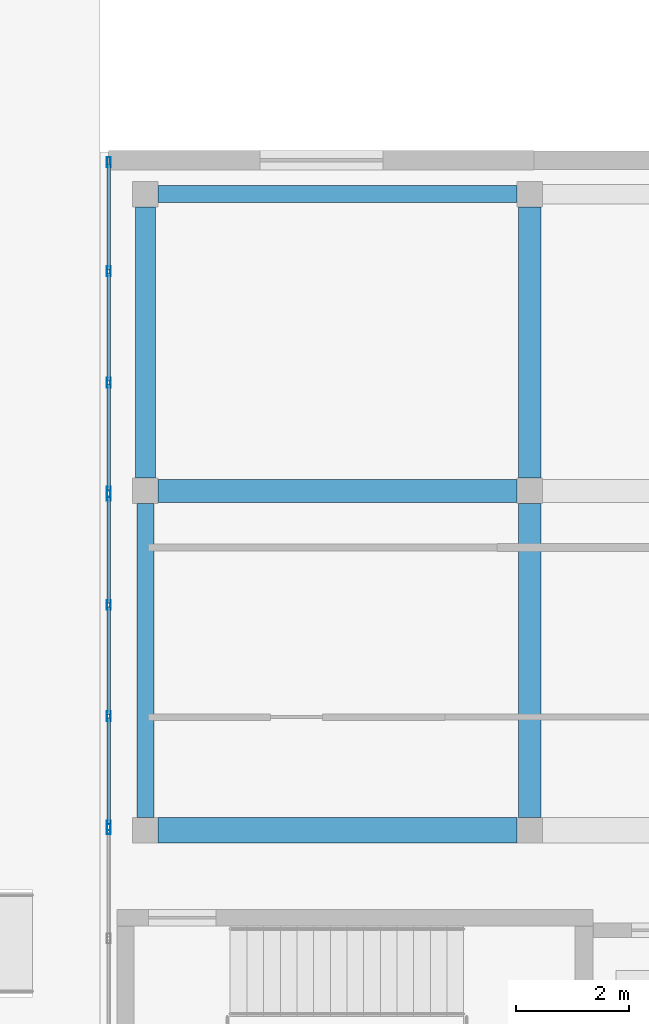
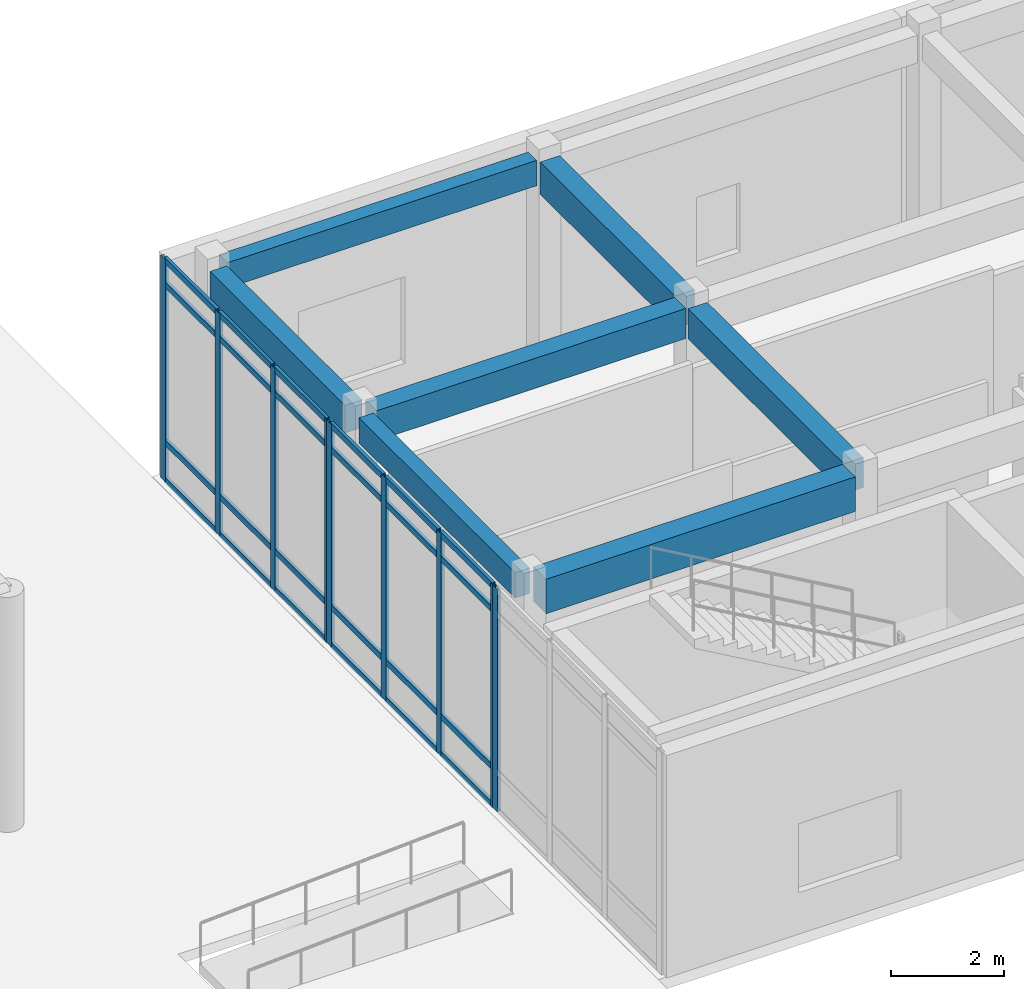
# One storey, part 75 of 121: 33 members, 7 beams, 3 elements without a shape of their own.
"""IFC4 building model written with IfcOpenShell, lengths in metres."""

from ifc_helpers import new_model, si_unit, direction, frame, origin, origin_2d, place, context, subcontext, project, spatial, rectangle, hollow_rectangle, extrude, material, layer, layer_set, material_profile, profile_set, type_object, element, aggregate, save


model = new_model("IFC4")

# Units and contexts
model_context = context("Model", 3, precision=1e-05, world=origin(), true_north=direction((0.0, 1.0)))
body_context = subcontext(model_context, "Body", "Model", "MODEL_VIEW")
ifc_project = project(units=[si_unit("LENGTHUNIT", "METRE"), si_unit("AREAUNIT", "SQUARE_METRE"), si_unit("VOLUMEUNIT", "CUBIC_METRE"), si_unit("PLANEANGLEUNIT", "RADIAN"), si_unit("MASSUNIT", "GRAM", prefix="KILO")], contexts=[model_context])

# Site, building, storey
site_placement = place(None, origin())
site = spatial("IfcSite", under=ifc_project, at=site_placement, CompositionType="ELEMENT")
building_placement = place(site_placement, origin())
building = spatial("IfcBuilding", under=site, at=building_placement, Name="Valcora Specialist Clinic", CompositionType="ELEMENT")
storey_placement = place(building_placement, origin())
storey = spatial("IfcBuildingStorey", under=building, at=storey_placement, Name="L00", CompositionType="ELEMENT", Elevation=0.0)

# Beams
ifc_material_1 = material(Name="Concrete C40/50", Category="concrete")
ifc_material_profile_1 = material_profile(ifc_material_1, rectangle(XDim=0.300048828125, YDim=0.550048828125, at=origin_2d()), Name="RC-BM-300X550")
ifc_profile_set_1 = profile_set([ifc_material_profile_1], Name="Concrete C40/50")
beam_type_1 = type_object("IfcBeamType", Name="TY-BM-RC300X550", PredefinedType="BEAM", material=ifc_profile_set_1)
beam_1_placement = place(storey_placement, frame((132.625, 55.25, 4.550048828125), z_axis=(1.0, 0.0, 0.0), x_axis=(0.0, 1.0, 0.0)))
element("IfcBeam", 1, at=beam_1_placement, inside=storey, type_object=beam_type_1, Name="Beam BM-L00-0409", PredefinedType="BEAM", context=body_context, shape_type="SweptSolid", body=[
    extrude(rectangle(XDim=0.300048828125, YDim=0.550048828125, at=origin_2d()), origin(), (0.0, 0.0, 1.0), 6.35009765625),
])
beam_2_placement = place(storey_placement, frame((132.39990234375, 44.22509765625, 4.550048828125), z_axis=(0.0, 1.0, 0.0), x_axis=(-1.0, 0.0, 0.0)))
element("IfcBeam", 2, at=beam_2_placement, inside=storey, type_object=beam_type_1, Name="Beam BM-L00-0413", PredefinedType="BEAM", context=body_context, shape_type="SweptSolid", body=[
    extrude(rectangle(XDim=0.300048828125, YDim=0.550048828125, at=origin_2d()), origin(), (0.0, 0.0, 1.0), 5.5498046875),
])
ifc_material_profile_2 = material_profile(ifc_material_1, rectangle(XDim=0.35009765625, YDim=0.60009765625, at=origin_2d()), Name="RC-BM-350X600")
ifc_profile_set_2 = profile_set([ifc_material_profile_2], Name="Concrete C40/50")
beam_type_2 = type_object("IfcBeamType", Name="TY-BM-RC350X600", PredefinedType="BEAM", material=ifc_profile_set_2)
beam_3_placement = place(storey_placement, frame((132.39990234375, 50.22509765625, 4.52490234375), z_axis=(0.0, 1.0, 0.0), x_axis=(-1.0, 0.0, 0.0)))
element("IfcBeam", 3, at=beam_3_placement, inside=storey, type_object=beam_type_2, Name="Beam BM-L00-0414", PredefinedType="BEAM", context=body_context, shape_type="SweptSolid", body=[
    extrude(rectangle(XDim=0.35009765625, YDim=0.60009765625, at=origin_2d()), origin(), (0.0, 0.0, 1.0), 4.7998046875),
])
ifc_material_profile_3 = material_profile(ifc_material_1, rectangle(XDim=0.39990234375, YDim=0.64990234375, at=origin_2d()), Name="RC-BM-400X650")
ifc_profile_set_3 = profile_set([ifc_material_profile_3], Name="Concrete C40/50")
beam_type_3 = type_object("IfcBeamType", Name="TY-BM-RC400X650", PredefinedType="BEAM", material=ifc_profile_set_3)
beam_4_placement = place(storey_placement, frame((132.625, 50.0, 4.5), z_axis=(1.0, 0.0, 0.0), x_axis=(0.0, 1.0, 0.0)))
element("IfcBeam", 4, at=beam_4_placement, inside=storey, type_object=beam_type_3, Name="Beam BM-L00-0405", PredefinedType="BEAM", context=body_context, shape_type="SweptSolid", body=[
    extrude(rectangle(XDim=0.39990234375, YDim=0.64990234375, at=origin_2d()), origin(), (0.0, 0.0, 1.0), 6.35009765625),
])
beam_5_placement = place(storey_placement, frame((139.199951171875, 44.22509765625, 4.5), z_axis=(0.0, 1.0, 0.0), x_axis=(-1.0, 0.0, 0.0)))
element("IfcBeam", 5, at=beam_5_placement, inside=storey, type_object=beam_type_3, Name="Beam BM-L00-0415", PredefinedType="BEAM", context=body_context, shape_type="SweptSolid", body=[
    extrude(rectangle(XDim=0.39990234375, YDim=0.64990234375, at=origin_2d()), origin(), (0.0, 0.0, 1.0), 5.5498046875),
])
ifc_material_profile_4 = material_profile(ifc_material_1, rectangle(XDim=0.39990234375, YDim=0.699951171875, at=origin_2d()), Name="RC-BM-400X700")
ifc_profile_set_4 = profile_set([ifc_material_profile_4], Name="Concrete C40/50")
beam_type_4 = type_object("IfcBeamType", Name="TY-BM-RC400X700", PredefinedType="BEAM", material=ifc_profile_set_4)
beam_6_placement = place(storey_placement, frame((139.199951171875, 50.22509765625, 4.47509765625), z_axis=(0.0, 1.0, 0.0), x_axis=(-1.0, 0.0, 0.0)))
element("IfcBeam", 6, at=beam_6_placement, inside=storey, type_object=beam_type_4, Name="Beam BM-L00-0416", PredefinedType="BEAM", context=body_context, shape_type="SweptSolid", body=[
    extrude(rectangle(XDim=0.39990234375, YDim=0.699951171875, at=origin_2d()), origin(), (0.0, 0.0, 1.0), 4.7998046875),
])
ifc_material_profile_5 = material_profile(ifc_material_1, rectangle(XDim=0.449951171875, YDim=0.75, at=origin_2d()), Name="RC-BM-450X750")
ifc_profile_set_5 = profile_set([ifc_material_profile_5], Name="Concrete C40/50")
beam_type_5 = type_object("IfcBeamType", Name="TY-BM-RC450X750", PredefinedType="BEAM", material=ifc_profile_set_5)
beam_7_placement = place(storey_placement, frame((132.625, 44.0, 4.449951171875), z_axis=(1.0, 0.0, 0.0), x_axis=(0.0, 1.0, 0.0)))
element("IfcBeam", 7, at=beam_7_placement, inside=storey, type_object=beam_type_5, Name="Beam BM-L00-0401", PredefinedType="BEAM", context=body_context, shape_type="SweptSolid", body=[
    extrude(rectangle(XDim=0.449951171875, YDim=0.75, at=origin_2d()), origin(), (0.0, 0.0, 1.0), 6.35009765625),
])

# Curtain wall, member
ifc_material_2 = material(Name="Anodized Bronze Aluminium 6063-T6", Category="aluminium")
ifc_layer = layer(ifc_material_2, 0.175048828125)
ifc_layer_set = layer_set([ifc_layer], Name="Anodized Bronze Aluminium 6063-T6")
curtain_wall_type = type_object("IfcCurtainWallType", Name="TY-CW-HAL18", PredefinedType="NOTDEFINED", material=ifc_layer_set)
curtain_wall_1_placement = place(storey_placement, origin())
curtain_wall_1 = element("IfcCurtainWall", 8, at=curtain_wall_1_placement, inside=storey, type_object=curtain_wall_type, Name="Curtain wall CW-L00-015", PredefinedType="NOTDEFINED")
ifc_material_profile_6 = material_profile(ifc_material_2, hollow_rectangle(XDim=0.06494140625, YDim=0.175048828125, WallThickness=0.00390625, at=origin_2d()), Name="AL-MUL-65X175")
ifc_profile_set_6 = profile_set([ifc_material_profile_6], Name="Anodized Bronze Aluminium 6063-T6")
member_type_1 = type_object("IfcMemberType", Name="TY-CWM-65X175", PredefinedType="MULLION", material=ifc_profile_set_6)
member_1_placement = place(storey_placement, frame((131.75, 44.017578125, 0.0), z_axis=(0.0, 0.0, 1.0), x_axis=(-1.0, 0.0, 0.0)))
member_1 = element("IfcMember", 9, at=member_1_placement, type_object=member_type_1, Name="CW-HAL-18 mullion 4", PredefinedType="MULLION", context=body_context, shape_type="SweptSolid", body=[
    extrude(hollow_rectangle(XDim=0.06494140625, YDim=0.175048828125, WallThickness=0.00390625, at=origin_2d()), origin(), (0.0, 0.0, 1.0), 4.824951171875),
])
aggregate(curtain_wall_1, [member_1])

# Curtain wall, members
curtain_wall_2_placement = place(storey_placement, origin())
curtain_wall_2 = element("IfcCurtainWall", 10, at=curtain_wall_2_placement, inside=storey, type_object=curtain_wall_type, Name="Curtain wall CW-L00-016", PredefinedType="NOTDEFINED")
member_2_placement = place(storey_placement, frame((131.75, 44.08251953125, 0.0), z_axis=(0.0, 0.0, 1.0), x_axis=(-1.0, 0.0, 0.0)))
member_2 = element("IfcMember", 11, at=member_2_placement, type_object=member_type_1, Name="CW-HAL-18 mullion 1", PredefinedType="MULLION", context=body_context, shape_type="SweptSolid", body=[
    extrude(hollow_rectangle(XDim=0.06494140625, YDim=0.175048828125, WallThickness=0.00390625, at=origin_2d()), origin(), (0.0, 0.0, 1.0), 4.824951171875),
])
member_3_placement = place(storey_placement, frame((131.75, 46.0166015625, 0.0), z_axis=(0.0, 0.0, 1.0), x_axis=(-1.0, 0.0, 0.0)))
member_3 = element("IfcMember", 12, at=member_3_placement, type_object=member_type_1, Name="CW-HAL-18 mullion 2", PredefinedType="MULLION", context=body_context, shape_type="SweptSolid", body=[
    extrude(hollow_rectangle(XDim=0.06494140625, YDim=0.175048828125, WallThickness=0.00390625, at=origin_2d()), origin(), (0.0, 0.0, 1.0), 4.824951171875),
])
member_4_placement = place(storey_placement, frame((131.75, 47.9833984375, 0.0), z_axis=(0.0, 0.0, 1.0), x_axis=(-1.0, 0.0, 0.0)))
member_4 = element("IfcMember", 13, at=member_4_placement, type_object=member_type_1, Name="CW-HAL-18 mullion 3", PredefinedType="MULLION", context=body_context, shape_type="SweptSolid", body=[
    extrude(hollow_rectangle(XDim=0.06494140625, YDim=0.175048828125, WallThickness=0.00390625, at=origin_2d()), origin(), (0.0, 0.0, 1.0), 4.824951171875),
])
member_5_placement = place(storey_placement, frame((131.75, 49.91748046875, 0.0), z_axis=(0.0, 0.0, 1.0), x_axis=(-1.0, 0.0, 0.0)))
member_5 = element("IfcMember", 14, at=member_5_placement, type_object=member_type_1, Name="CW-HAL-18 mullion 4", PredefinedType="MULLION", context=body_context, shape_type="SweptSolid", body=[
    extrude(hollow_rectangle(XDim=0.06494140625, YDim=0.175048828125, WallThickness=0.00390625, at=origin_2d()), origin(), (0.0, 0.0, 1.0), 4.824951171875),
])

curtain_wall_3_placement = place(storey_placement, origin())
curtain_wall_3 = element("IfcCurtainWall", 15, at=curtain_wall_3_placement, inside=storey, type_object=curtain_wall_type, Name="Curtain wall CW-L00-017", PredefinedType="NOTDEFINED")
member_6_placement = place(storey_placement, frame((131.75, 49.982421875, 0.0), z_axis=(0.0, 0.0, 1.0), x_axis=(-1.0, 0.0, 0.0)))
member_6 = element("IfcMember", 16, at=member_6_placement, type_object=member_type_1, Name="CW-HAL-18 mullion 1", PredefinedType="MULLION", context=body_context, shape_type="SweptSolid", body=[
    extrude(hollow_rectangle(XDim=0.06494140625, YDim=0.175048828125, WallThickness=0.00390625, at=origin_2d()), origin(), (0.0, 0.0, 1.0), 4.824951171875),
])
member_7_placement = place(storey_placement, frame((131.75, 51.916748046875, 0.0), z_axis=(0.0, 0.0, 1.0), x_axis=(-1.0, 0.0, 0.0)))
member_7 = element("IfcMember", 17, at=member_7_placement, type_object=member_type_1, Name="CW-HAL-18 mullion 2", PredefinedType="MULLION", context=body_context, shape_type="SweptSolid", body=[
    extrude(hollow_rectangle(XDim=0.06494140625, YDim=0.175048828125, WallThickness=0.00390625, at=origin_2d()), origin(), (0.0, 0.0, 1.0), 4.824951171875),
])
member_8_placement = place(storey_placement, frame((131.75, 53.88330078125, 0.0), z_axis=(0.0, 0.0, 1.0), x_axis=(-1.0, 0.0, 0.0)))
member_8 = element("IfcMember", 18, at=member_8_placement, type_object=member_type_1, Name="CW-HAL-18 mullion 3", PredefinedType="MULLION", context=body_context, shape_type="SweptSolid", body=[
    extrude(hollow_rectangle(XDim=0.06494140625, YDim=0.175048828125, WallThickness=0.00390625, at=origin_2d()), origin(), (0.0, 0.0, 1.0), 4.824951171875),
])
member_9_placement = place(storey_placement, frame((131.75, 55.8173828125, 0.0), z_axis=(0.0, 0.0, 1.0), x_axis=(-1.0, 0.0, 0.0)))
member_9 = element("IfcMember", 19, at=member_9_placement, type_object=member_type_1, Name="CW-HAL-18 mullion 4", PredefinedType="MULLION", context=body_context, shape_type="SweptSolid", body=[
    extrude(hollow_rectangle(XDim=0.06494140625, YDim=0.175048828125, WallThickness=0.00390625, at=origin_2d()), origin(), (0.0, 0.0, 1.0), 4.824951171875),
])

# Member
ifc_material_profile_7 = material_profile(ifc_material_2, hollow_rectangle(XDim=0.06494140625, YDim=0.1298828125, WallThickness=0.00390625, at=origin_2d()), Name="AL-TRN-65X130")
ifc_profile_set_7 = profile_set([ifc_material_profile_7], Name="Anodized Bronze Aluminium 6063-T6")
member_type_2 = type_object("IfcMemberType", Name="TY-CWT-65X130", PredefinedType="USERDEFINED", material=ifc_profile_set_7)
member_10_placement = place(storey_placement, frame((131.75, 44.114990234375, 0.032470703125), z_axis=(0.0, 1.0, 0.0), x_axis=(-1.0, 0.0, 0.0)))
member_10 = element("IfcMember", 20, at=member_10_placement, type_object=member_type_2, Name="CW-HAL-18 transom 1.1", ObjectType="TRANSOM", PredefinedType="USERDEFINED", context=body_context, shape_type="SweptSolid", body=[
    extrude(hollow_rectangle(XDim=0.06494140625, YDim=0.1298828125, WallThickness=0.00390625, at=origin_2d()), origin(), (0.0, 0.0, 1.0), 1.869140625),
])

member_11_placement = place(storey_placement, frame((131.75, 44.114990234375, 0.85009765625), z_axis=(0.0, 1.0, 0.0), x_axis=(-1.0, 0.0, 0.0)))
member_11 = element("IfcMember", 21, at=member_11_placement, type_object=member_type_2, Name="CW-HAL-18 transom 1.2", ObjectType="TRANSOM", PredefinedType="USERDEFINED", context=body_context, shape_type="SweptSolid", body=[
    extrude(hollow_rectangle(XDim=0.06494140625, YDim=0.1298828125, WallThickness=0.00390625, at=origin_2d()), origin(), (0.0, 0.0, 1.0), 1.869140625),
])

member_12_placement = place(storey_placement, frame((131.75, 44.114990234375, 4.27490234375), z_axis=(0.0, 1.0, 0.0), x_axis=(-1.0, 0.0, 0.0)))
member_12 = element("IfcMember", 22, at=member_12_placement, type_object=member_type_2, Name="CW-HAL-18 transom 1.3", ObjectType="TRANSOM", PredefinedType="USERDEFINED", context=body_context, shape_type="SweptSolid", body=[
    extrude(hollow_rectangle(XDim=0.06494140625, YDim=0.1298828125, WallThickness=0.00390625, at=origin_2d()), origin(), (0.0, 0.0, 1.0), 1.869140625),
])

member_13_placement = place(storey_placement, frame((131.75, 44.114990234375, 4.79248046875), z_axis=(0.0, 1.0, 0.0), x_axis=(-1.0, 0.0, 0.0)))
member_13 = element("IfcMember", 23, at=member_13_placement, type_object=member_type_2, Name="CW-HAL-18 transom 1.4", ObjectType="TRANSOM", PredefinedType="USERDEFINED", context=body_context, shape_type="SweptSolid", body=[
    extrude(hollow_rectangle(XDim=0.06494140625, YDim=0.1298828125, WallThickness=0.00390625, at=origin_2d()), origin(), (0.0, 0.0, 1.0), 1.869140625),
])

member_14_placement = place(storey_placement, frame((131.75, 46.049072265625, 0.032470703125), z_axis=(0.0, 1.0, 0.0), x_axis=(-1.0, 0.0, 0.0)))
member_14 = element("IfcMember", 24, at=member_14_placement, type_object=member_type_2, Name="CW-HAL-18 transom 2.1", ObjectType="TRANSOM", PredefinedType="USERDEFINED", context=body_context, shape_type="SweptSolid", body=[
    extrude(hollow_rectangle(XDim=0.06494140625, YDim=0.1298828125, WallThickness=0.00390625, at=origin_2d()), origin(), (0.0, 0.0, 1.0), 1.90185546875),
])

member_15_placement = place(storey_placement, frame((131.75, 46.049072265625, 0.85009765625), z_axis=(0.0, 1.0, 0.0), x_axis=(-1.0, 0.0, 0.0)))
member_15 = element("IfcMember", 25, at=member_15_placement, type_object=member_type_2, Name="CW-HAL-18 transom 2.2", ObjectType="TRANSOM", PredefinedType="USERDEFINED", context=body_context, shape_type="SweptSolid", body=[
    extrude(hollow_rectangle(XDim=0.06494140625, YDim=0.1298828125, WallThickness=0.00390625, at=origin_2d()), origin(), (0.0, 0.0, 1.0), 1.90185546875),
])

member_16_placement = place(storey_placement, frame((131.75, 46.049072265625, 4.27490234375), z_axis=(0.0, 1.0, 0.0), x_axis=(-1.0, 0.0, 0.0)))
member_16 = element("IfcMember", 26, at=member_16_placement, type_object=member_type_2, Name="CW-HAL-18 transom 2.3", ObjectType="TRANSOM", PredefinedType="USERDEFINED", context=body_context, shape_type="SweptSolid", body=[
    extrude(hollow_rectangle(XDim=0.06494140625, YDim=0.1298828125, WallThickness=0.00390625, at=origin_2d()), origin(), (0.0, 0.0, 1.0), 1.90185546875),
])

member_17_placement = place(storey_placement, frame((131.75, 46.049072265625, 4.79248046875), z_axis=(0.0, 1.0, 0.0), x_axis=(-1.0, 0.0, 0.0)))
member_17 = element("IfcMember", 27, at=member_17_placement, type_object=member_type_2, Name="CW-HAL-18 transom 2.4", ObjectType="TRANSOM", PredefinedType="USERDEFINED", context=body_context, shape_type="SweptSolid", body=[
    extrude(hollow_rectangle(XDim=0.06494140625, YDim=0.1298828125, WallThickness=0.00390625, at=origin_2d()), origin(), (0.0, 0.0, 1.0), 1.90185546875),
])

member_18_placement = place(storey_placement, frame((131.75, 48.015869140625, 0.032470703125), z_axis=(0.0, 1.0, 0.0), x_axis=(-1.0, 0.0, 0.0)))
member_18 = element("IfcMember", 28, at=member_18_placement, type_object=member_type_2, Name="CW-HAL-18 transom 3.1", ObjectType="TRANSOM", PredefinedType="USERDEFINED", context=body_context, shape_type="SweptSolid", body=[
    extrude(hollow_rectangle(XDim=0.06494140625, YDim=0.1298828125, WallThickness=0.00390625, at=origin_2d()), origin(), (0.0, 0.0, 1.0), 1.869140625),
])

member_19_placement = place(storey_placement, frame((131.75, 48.015869140625, 0.85009765625), z_axis=(0.0, 1.0, 0.0), x_axis=(-1.0, 0.0, 0.0)))
member_19 = element("IfcMember", 29, at=member_19_placement, type_object=member_type_2, Name="CW-HAL-18 transom 3.2", ObjectType="TRANSOM", PredefinedType="USERDEFINED", context=body_context, shape_type="SweptSolid", body=[
    extrude(hollow_rectangle(XDim=0.06494140625, YDim=0.1298828125, WallThickness=0.00390625, at=origin_2d()), origin(), (0.0, 0.0, 1.0), 1.869140625),
])

member_20_placement = place(storey_placement, frame((131.75, 48.015869140625, 4.27490234375), z_axis=(0.0, 1.0, 0.0), x_axis=(-1.0, 0.0, 0.0)))
member_20 = element("IfcMember", 30, at=member_20_placement, type_object=member_type_2, Name="CW-HAL-18 transom 3.3", ObjectType="TRANSOM", PredefinedType="USERDEFINED", context=body_context, shape_type="SweptSolid", body=[
    extrude(hollow_rectangle(XDim=0.06494140625, YDim=0.1298828125, WallThickness=0.00390625, at=origin_2d()), origin(), (0.0, 0.0, 1.0), 1.869140625),
])

member_21_placement = place(storey_placement, frame((131.75, 48.015869140625, 4.79248046875), z_axis=(0.0, 1.0, 0.0), x_axis=(-1.0, 0.0, 0.0)))
member_21 = element("IfcMember", 31, at=member_21_placement, type_object=member_type_2, Name="CW-HAL-18 transom 3.4", ObjectType="TRANSOM", PredefinedType="USERDEFINED", context=body_context, shape_type="SweptSolid", body=[
    extrude(hollow_rectangle(XDim=0.06494140625, YDim=0.1298828125, WallThickness=0.00390625, at=origin_2d()), origin(), (0.0, 0.0, 1.0), 1.869140625),
])

aggregate(curtain_wall_2, [member_2, member_3, member_4, member_5, member_10, member_11, member_12, member_13, member_14, member_15, member_16, member_17, member_18, member_19, member_20, member_21])

member_22_placement = place(storey_placement, frame((131.75, 50.014892578125, 0.032470703125), z_axis=(0.0, 1.0, 0.0), x_axis=(-1.0, 0.0, 0.0)))
member_22 = element("IfcMember", 32, at=member_22_placement, type_object=member_type_2, Name="CW-HAL-18 transom 1.1", ObjectType="TRANSOM", PredefinedType="USERDEFINED", context=body_context, shape_type="SweptSolid", body=[
    extrude(hollow_rectangle(XDim=0.06494140625, YDim=0.1298828125, WallThickness=0.00390625, at=origin_2d()), origin(), (0.0, 0.0, 1.0), 1.869384765625),
])

member_23_placement = place(storey_placement, frame((131.75, 50.014892578125, 0.85009765625), z_axis=(0.0, 1.0, 0.0), x_axis=(-1.0, 0.0, 0.0)))
member_23 = element("IfcMember", 33, at=member_23_placement, type_object=member_type_2, Name="CW-HAL-18 transom 1.2", ObjectType="TRANSOM", PredefinedType="USERDEFINED", context=body_context, shape_type="SweptSolid", body=[
    extrude(hollow_rectangle(XDim=0.06494140625, YDim=0.1298828125, WallThickness=0.00390625, at=origin_2d()), origin(), (0.0, 0.0, 1.0), 1.869384765625),
])

member_24_placement = place(storey_placement, frame((131.75, 50.014892578125, 4.27490234375), z_axis=(0.0, 1.0, 0.0), x_axis=(-1.0, 0.0, 0.0)))
member_24 = element("IfcMember", 34, at=member_24_placement, type_object=member_type_2, Name="CW-HAL-18 transom 1.3", ObjectType="TRANSOM", PredefinedType="USERDEFINED", context=body_context, shape_type="SweptSolid", body=[
    extrude(hollow_rectangle(XDim=0.06494140625, YDim=0.1298828125, WallThickness=0.00390625, at=origin_2d()), origin(), (0.0, 0.0, 1.0), 1.869384765625),
])

member_25_placement = place(storey_placement, frame((131.75, 50.014892578125, 4.79248046875), z_axis=(0.0, 1.0, 0.0), x_axis=(-1.0, 0.0, 0.0)))
member_25 = element("IfcMember", 35, at=member_25_placement, type_object=member_type_2, Name="CW-HAL-18 transom 1.4", ObjectType="TRANSOM", PredefinedType="USERDEFINED", context=body_context, shape_type="SweptSolid", body=[
    extrude(hollow_rectangle(XDim=0.06494140625, YDim=0.1298828125, WallThickness=0.00390625, at=origin_2d()), origin(), (0.0, 0.0, 1.0), 1.869384765625),
])

member_26_placement = place(storey_placement, frame((131.75, 51.94921875, 0.032470703125), z_axis=(0.0, 1.0, 0.0), x_axis=(-1.0, 0.0, 0.0)))
member_26 = element("IfcMember", 36, at=member_26_placement, type_object=member_type_2, Name="CW-HAL-18 transom 2.1", ObjectType="TRANSOM", PredefinedType="USERDEFINED", context=body_context, shape_type="SweptSolid", body=[
    extrude(hollow_rectangle(XDim=0.06494140625, YDim=0.1298828125, WallThickness=0.00390625, at=origin_2d()), origin(), (0.0, 0.0, 1.0), 1.901611328125),
])

member_27_placement = place(storey_placement, frame((131.75, 51.94921875, 0.85009765625), z_axis=(0.0, 1.0, 0.0), x_axis=(-1.0, 0.0, 0.0)))
member_27 = element("IfcMember", 37, at=member_27_placement, type_object=member_type_2, Name="CW-HAL-18 transom 2.2", ObjectType="TRANSOM", PredefinedType="USERDEFINED", context=body_context, shape_type="SweptSolid", body=[
    extrude(hollow_rectangle(XDim=0.06494140625, YDim=0.1298828125, WallThickness=0.00390625, at=origin_2d()), origin(), (0.0, 0.0, 1.0), 1.901611328125),
])

member_28_placement = place(storey_placement, frame((131.75, 51.94921875, 4.27490234375), z_axis=(0.0, 1.0, 0.0), x_axis=(-1.0, 0.0, 0.0)))
member_28 = element("IfcMember", 38, at=member_28_placement, type_object=member_type_2, Name="CW-HAL-18 transom 2.3", ObjectType="TRANSOM", PredefinedType="USERDEFINED", context=body_context, shape_type="SweptSolid", body=[
    extrude(hollow_rectangle(XDim=0.06494140625, YDim=0.1298828125, WallThickness=0.00390625, at=origin_2d()), origin(), (0.0, 0.0, 1.0), 1.901611328125),
])

member_29_placement = place(storey_placement, frame((131.75, 51.94921875, 4.79248046875), z_axis=(0.0, 1.0, 0.0), x_axis=(-1.0, 0.0, 0.0)))
member_29 = element("IfcMember", 39, at=member_29_placement, type_object=member_type_2, Name="CW-HAL-18 transom 2.4", ObjectType="TRANSOM", PredefinedType="USERDEFINED", context=body_context, shape_type="SweptSolid", body=[
    extrude(hollow_rectangle(XDim=0.06494140625, YDim=0.1298828125, WallThickness=0.00390625, at=origin_2d()), origin(), (0.0, 0.0, 1.0), 1.901611328125),
])

member_30_placement = place(storey_placement, frame((131.75, 53.915771484375, 0.032470703125), z_axis=(0.0, 1.0, 0.0), x_axis=(-1.0, 0.0, 0.0)))
member_30 = element("IfcMember", 40, at=member_30_placement, type_object=member_type_2, Name="CW-HAL-18 transom 3.1", ObjectType="TRANSOM", PredefinedType="USERDEFINED", context=body_context, shape_type="SweptSolid", body=[
    extrude(hollow_rectangle(XDim=0.06494140625, YDim=0.1298828125, WallThickness=0.00390625, at=origin_2d()), origin(), (0.0, 0.0, 1.0), 1.869140625),
])

member_31_placement = place(storey_placement, frame((131.75, 53.915771484375, 0.85009765625), z_axis=(0.0, 1.0, 0.0), x_axis=(-1.0, 0.0, 0.0)))
member_31 = element("IfcMember", 41, at=member_31_placement, type_object=member_type_2, Name="CW-HAL-18 transom 3.2", ObjectType="TRANSOM", PredefinedType="USERDEFINED", context=body_context, shape_type="SweptSolid", body=[
    extrude(hollow_rectangle(XDim=0.06494140625, YDim=0.1298828125, WallThickness=0.00390625, at=origin_2d()), origin(), (0.0, 0.0, 1.0), 1.869140625),
])

member_32_placement = place(storey_placement, frame((131.75, 53.915771484375, 4.27490234375), z_axis=(0.0, 1.0, 0.0), x_axis=(-1.0, 0.0, 0.0)))
member_32 = element("IfcMember", 42, at=member_32_placement, type_object=member_type_2, Name="CW-HAL-18 transom 3.3", ObjectType="TRANSOM", PredefinedType="USERDEFINED", context=body_context, shape_type="SweptSolid", body=[
    extrude(hollow_rectangle(XDim=0.06494140625, YDim=0.1298828125, WallThickness=0.00390625, at=origin_2d()), origin(), (0.0, 0.0, 1.0), 1.869140625),
])

member_33_placement = place(storey_placement, frame((131.75, 53.915771484375, 4.79248046875), z_axis=(0.0, 1.0, 0.0), x_axis=(-1.0, 0.0, 0.0)))
member_33 = element("IfcMember", 43, at=member_33_placement, type_object=member_type_2, Name="CW-HAL-18 transom 3.4", ObjectType="TRANSOM", PredefinedType="USERDEFINED", context=body_context, shape_type="SweptSolid", body=[
    extrude(hollow_rectangle(XDim=0.06494140625, YDim=0.1298828125, WallThickness=0.00390625, at=origin_2d()), origin(), (0.0, 0.0, 1.0), 1.869140625),
])

aggregate(curtain_wall_3, [member_6, member_7, member_8, member_9, member_22, member_23, member_24, member_25, member_26, member_27, member_28, member_29, member_30, member_31, member_32, member_33])

save(model, "model.ifc")
